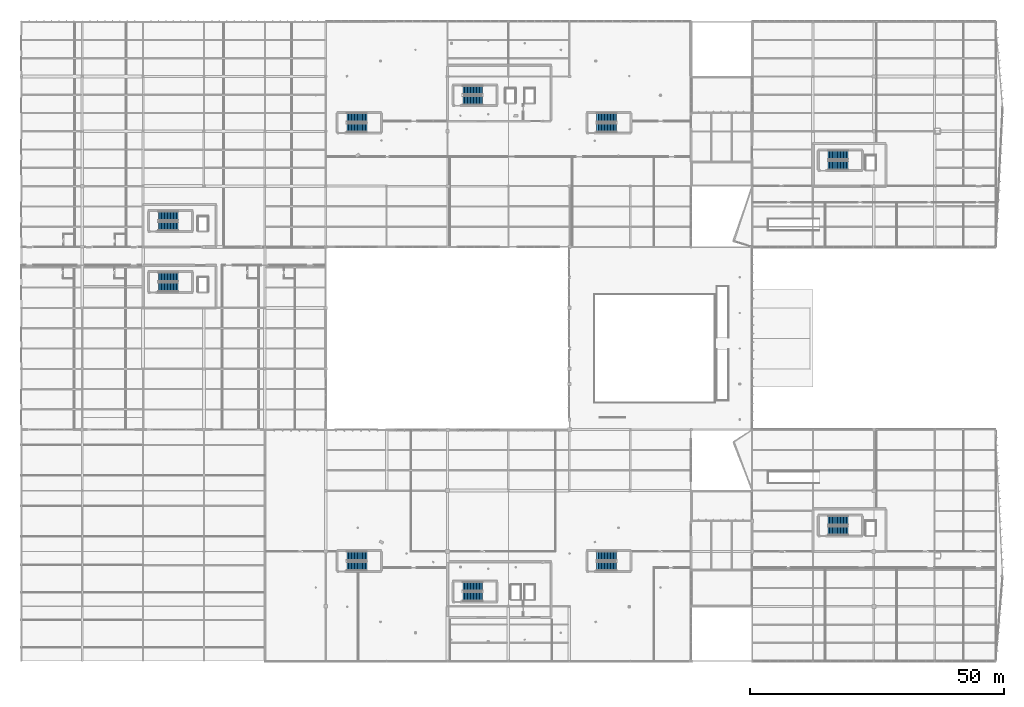
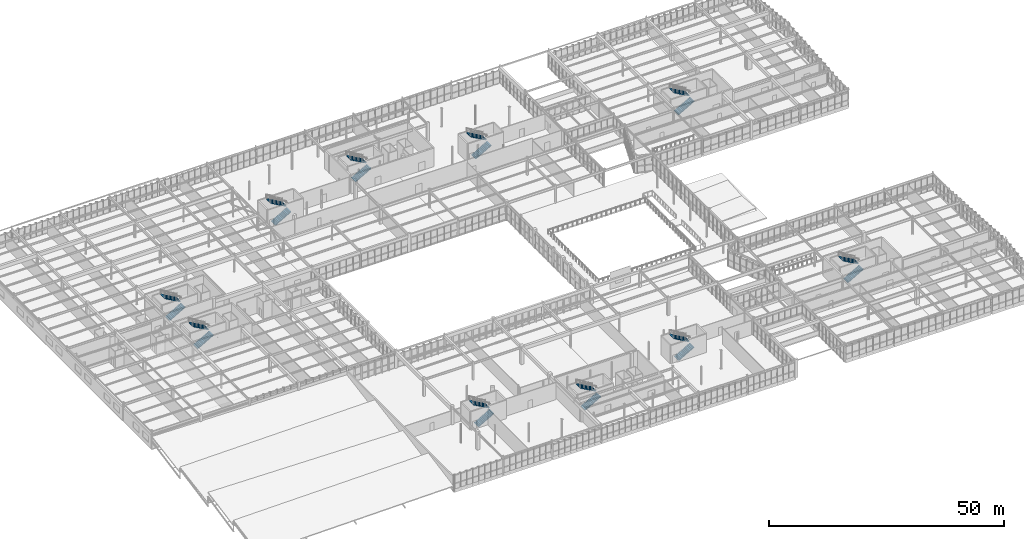
# One storey, part 200 of 226: 20 stair flights, 10 elements without a shape of their own.
"""IFC4 building model written with IfcOpenShell, lengths in metres."""

from ifc_helpers import new_model, si_unit, direction, frame, origin, place, context, subcontext, project, spatial, polyline, outline, extrude, material, type_object, element, aggregate, save


model = new_model("IFC4")

# Units and contexts
model_context = context("Model", 3, precision=1e-05, world=origin(), true_north=direction((0.0, 1.0)))
body_context = subcontext(model_context, "Body", "Model", "MODEL_VIEW")
ifc_project = project(units=[si_unit("LENGTHUNIT", "METRE"), si_unit("AREAUNIT", "SQUARE_METRE"), si_unit("VOLUMEUNIT", "CUBIC_METRE"), si_unit("PLANEANGLEUNIT", "RADIAN"), si_unit("MASSUNIT", "GRAM", prefix="KILO")], contexts=[model_context])

# Site, building, storey
site_placement = place(None, origin())
site = spatial("IfcSite", under=ifc_project, at=site_placement, CompositionType="ELEMENT")
building_placement = place(site_placement, origin())
building = spatial("IfcBuilding", under=site, at=building_placement, Name="Tarnwether General Hospital", CompositionType="ELEMENT")
storey_placement = place(building_placement, frame((0.0, 0.0, 4.800048828125)))
storey = spatial("IfcBuildingStorey", under=building, at=storey_placement, Name="L01", CompositionType="ELEMENT", Elevation=4.800048828125)

# Stair, stair flights
ifc_material_1 = material(Name="Concrete 40 MPa", Category="concrete")
stair_type_1 = type_object("IfcStairType", Name="ST-DL48A", PredefinedType="HALF_TURN_STAIR", material=ifc_material_1)
stair_1_placement = place(storey_placement, origin())
stair_1 = element("IfcStair", 1, at=stair_1_placement, inside=storey, type_object=stair_type_1, Name="L01 Exit Stair ST-01", PredefinedType="HALF_TURN_STAIR")
ifc_material_2 = material(Name="Concrete 40 MPa", Category="concrete")
stair_flight_type_1 = type_object("IfcStairFlightType", Name="SF-48A", PredefinedType="STRAIGHT", material=ifc_material_2)
stair_flight_1_placement = place(storey_placement, frame((87.0, 110.5, 0.0), z_axis=(0.0, 0.0, 1.0), x_axis=(1.0, 0.0, 0.0)))
stair_flight_1 = element("IfcStairFlight", 2, at=stair_flight_1_placement, type_object=stair_flight_type_1, Name="ST-01 flight 1", NumberOfRisers=14, NumberOfTreads=13, PredefinedType="STRAIGHT", RiserHeight=0.171428571, TreadLength=0.3, context=body_context, shape_type="SweptSolid", body=[
    extrude(outline(polyline([(0.0, 0.0), (0.0, 0.17138671875), (0.300048828125, 0.17138671875), (0.300048828125, 0.3427734375), (0.60009765625, 0.3427734375), (0.60009765625, 0.514404296875), (0.89990234375, 0.514404296875), (0.89990234375, 0.685791015625), (1.199951171875, 0.685791015625), (1.199951171875, 0.857177734375), (1.5, 0.857177734375), (1.5, 1.028564453125), (1.800048828125, 1.028564453125), (1.800048828125, 1.199951171875), (2.10009765625, 1.199951171875), (2.10009765625, 1.371337890625), (2.39990234375, 1.371337890625), (2.39990234375, 1.54296875), (2.699951171875, 1.54296875), (2.699951171875, 1.71435546875), (3.0, 1.71435546875), (3.0, 1.8857421875), (3.300048828125, 1.8857421875), (3.300048828125, 2.05712890625), (3.60009765625, 2.05712890625), (3.60009765625, 2.228515625), (3.89990234375, 2.228515625), (3.89990234375, 2.39990234375), (3.89990234375, 2.055908203125), (0.30224609375, 0.0), (0.0, 0.0)])), frame((0.0, 0.89990234375, 0.0), z_axis=(0.0, -1.0, 0.0), x_axis=(1.0, 0.0, 0.0)), (0.0, 0.0, 1.0), 1.800048828125),
])
stair_flight_2_placement = place(storey_placement, frame((90.89990234375, 112.5, 2.39990234375), z_axis=(0.0, 0.0, 1.0), x_axis=(-1.0, 0.0, 0.0)))
stair_flight_2 = element("IfcStairFlight", 3, at=stair_flight_2_placement, type_object=stair_flight_type_1, Name="ST-01 flight 2", NumberOfRisers=14, NumberOfTreads=13, PredefinedType="STRAIGHT", RiserHeight=0.171428571, TreadLength=0.3, context=body_context, shape_type="SweptSolid", body=[
    extrude(outline(polyline([(0.0, 0.0), (0.0, 0.17138671875), (0.300048828125, 0.17138671875), (0.300048828125, 0.3427734375), (0.60009765625, 0.3427734375), (0.60009765625, 0.514404296875), (0.89990234375, 0.514404296875), (0.89990234375, 0.685791015625), (1.199951171875, 0.685791015625), (1.199951171875, 0.857177734375), (1.5, 0.857177734375), (1.5, 1.028564453125), (1.800048828125, 1.028564453125), (1.800048828125, 1.199951171875), (2.10009765625, 1.199951171875), (2.10009765625, 1.371337890625), (2.39990234375, 1.371337890625), (2.39990234375, 1.54296875), (2.699951171875, 1.54296875), (2.699951171875, 1.71435546875), (3.0, 1.71435546875), (3.0, 1.8857421875), (3.300048828125, 1.8857421875), (3.300048828125, 2.05712890625), (3.60009765625, 2.05712890625), (3.60009765625, 2.228515625), (3.89990234375, 2.228515625), (3.89990234375, 2.39990234375), (3.89990234375, 2.055908203125), (0.30224609375, 0.0), (0.0, 0.0)])), frame((0.0, 0.89990234375, 0.0), z_axis=(0.0, -1.0, 0.0), x_axis=(1.0, 0.0, 0.0)), (0.0, 0.0, 1.0), 1.800048828125),
])
aggregate(stair_1, [stair_flight_1, stair_flight_2])

stair_2_placement = place(storey_placement, origin())
stair_2 = element("IfcStair", 4, at=stair_2_placement, inside=storey, type_object=stair_type_1, Name="L01 Exit Stair ST-03", PredefinedType="HALF_TURN_STAIR")
stair_flight_3_placement = place(storey_placement, frame((27.0, 73.699951171875, 0.0), z_axis=(0.0, 0.0, 1.0), x_axis=(1.0, 0.0, 0.0)))
stair_flight_3 = element("IfcStairFlight", 5, at=stair_flight_3_placement, type_object=stair_flight_type_1, Name="ST-03 flight 1", NumberOfRisers=14, NumberOfTreads=13, PredefinedType="STRAIGHT", RiserHeight=0.171428571, TreadLength=0.3, context=body_context, shape_type="SweptSolid", body=[
    extrude(outline(polyline([(0.0, 0.0), (0.0, 0.17138671875), (0.300048828125, 0.17138671875), (0.300048828125, 0.3427734375), (0.60009765625, 0.3427734375), (0.60009765625, 0.514404296875), (0.89990234375, 0.514404296875), (0.89990234375, 0.685791015625), (1.199951171875, 0.685791015625), (1.199951171875, 0.857177734375), (1.5, 0.857177734375), (1.5, 1.028564453125), (1.800048828125, 1.028564453125), (1.800048828125, 1.199951171875), (2.10009765625, 1.199951171875), (2.10009765625, 1.371337890625), (2.39990234375, 1.371337890625), (2.39990234375, 1.54296875), (2.699951171875, 1.54296875), (2.699951171875, 1.71435546875), (3.0, 1.71435546875), (3.0, 1.8857421875), (3.300048828125, 1.8857421875), (3.300048828125, 2.05712890625), (3.60009765625, 2.05712890625), (3.60009765625, 2.228515625), (3.89990234375, 2.228515625), (3.89990234375, 2.39990234375), (3.89990234375, 2.055908203125), (0.30224609375, 0.0), (0.0, 0.0)])), frame((0.0, 0.89990234375, 0.0), z_axis=(0.0, -1.0, 0.0), x_axis=(1.0, 0.0, 0.0)), (0.0, 0.0, 1.0), 1.800048828125),
])
stair_flight_4_placement = place(storey_placement, frame((30.89990234375, 75.699951171875, 2.39990234375), z_axis=(0.0, 0.0, 1.0), x_axis=(-1.0, 0.0, 0.0)))
stair_flight_4 = element("IfcStairFlight", 6, at=stair_flight_4_placement, type_object=stair_flight_type_1, Name="ST-03 flight 2", NumberOfRisers=14, NumberOfTreads=13, PredefinedType="STRAIGHT", RiserHeight=0.171428571, TreadLength=0.3, context=body_context, shape_type="SweptSolid", body=[
    extrude(outline(polyline([(0.0, 0.0), (0.0, 0.17138671875), (0.300048828125, 0.17138671875), (0.300048828125, 0.3427734375), (0.60009765625, 0.3427734375), (0.60009765625, 0.514404296875), (0.89990234375, 0.514404296875), (0.89990234375, 0.685791015625), (1.199951171875, 0.685791015625), (1.199951171875, 0.857177734375), (1.5, 0.857177734375), (1.5, 1.028564453125), (1.800048828125, 1.028564453125), (1.800048828125, 1.199951171875), (2.10009765625, 1.199951171875), (2.10009765625, 1.371337890625), (2.39990234375, 1.371337890625), (2.39990234375, 1.54296875), (2.699951171875, 1.54296875), (2.699951171875, 1.71435546875), (3.0, 1.71435546875), (3.0, 1.8857421875), (3.300048828125, 1.8857421875), (3.300048828125, 2.05712890625), (3.60009765625, 2.05712890625), (3.60009765625, 2.228515625), (3.89990234375, 2.228515625), (3.89990234375, 2.39990234375), (3.89990234375, 2.055908203125), (0.30224609375, 0.0), (0.0, 0.0)])), frame((0.0, 0.89990234375, 0.0), z_axis=(0.0, -1.0, 0.0), x_axis=(1.0, 0.0, 0.0)), (0.0, 0.0, 1.0), 1.800048828125),
])
aggregate(stair_2, [stair_flight_3, stair_flight_4])

stair_3_placement = place(storey_placement, origin())
stair_3 = element("IfcStair", 7, at=stair_3_placement, inside=storey, type_object=stair_type_1, Name="L01 Exit Stair ST-05", PredefinedType="HALF_TURN_STAIR")
stair_flight_5_placement = place(storey_placement, frame((159.0, 25.699951171875, 0.0), z_axis=(0.0, 0.0, 1.0), x_axis=(1.0, 0.0, 0.0)))
stair_flight_5 = element("IfcStairFlight", 8, at=stair_flight_5_placement, type_object=stair_flight_type_1, Name="ST-05 flight 1", NumberOfRisers=14, NumberOfTreads=13, PredefinedType="STRAIGHT", RiserHeight=0.171428571, TreadLength=0.3, context=body_context, shape_type="SweptSolid", body=[
    extrude(outline(polyline([(0.0, 0.0), (0.0, 0.17138671875), (0.300048828125, 0.17138671875), (0.300048828125, 0.3427734375), (0.60009765625, 0.3427734375), (0.60009765625, 0.514404296875), (0.89990234375, 0.514404296875), (0.89990234375, 0.685791015625), (1.199951171875, 0.685791015625), (1.199951171875, 0.857177734375), (1.5, 0.857177734375), (1.5, 1.028564453125), (1.800048828125, 1.028564453125), (1.800048828125, 1.199951171875), (2.10009765625, 1.199951171875), (2.10009765625, 1.371337890625), (2.39990234375, 1.371337890625), (2.39990234375, 1.54296875), (2.699951171875, 1.54296875), (2.699951171875, 1.71435546875), (3.0, 1.71435546875), (3.0, 1.8857421875), (3.300048828125, 1.8857421875), (3.300048828125, 2.05712890625), (3.60009765625, 2.05712890625), (3.60009765625, 2.228515625), (3.89990234375, 2.228515625), (3.89990234375, 2.39990234375), (3.89990234375, 2.055908203125), (0.30224609375, 0.0), (0.0, 0.0)])), frame((0.0, 0.89990234375, 0.0), z_axis=(0.0, -1.0, 0.0), x_axis=(1.0, 0.0, 0.0)), (0.0, 0.0, 1.0), 1.800048828125),
])
stair_flight_6_placement = place(storey_placement, frame((162.89990234375, 27.699951171875, 2.39990234375), z_axis=(0.0, 0.0, 1.0), x_axis=(-1.0, 0.0, 0.0)))
stair_flight_6 = element("IfcStairFlight", 9, at=stair_flight_6_placement, type_object=stair_flight_type_1, Name="ST-05 flight 2", NumberOfRisers=14, NumberOfTreads=13, PredefinedType="STRAIGHT", RiserHeight=0.171428571, TreadLength=0.3, context=body_context, shape_type="SweptSolid", body=[
    extrude(outline(polyline([(0.0, 0.0), (0.0, 0.17138671875), (0.300048828125, 0.17138671875), (0.300048828125, 0.3427734375), (0.60009765625, 0.3427734375), (0.60009765625, 0.514404296875), (0.89990234375, 0.514404296875), (0.89990234375, 0.685791015625), (1.199951171875, 0.685791015625), (1.199951171875, 0.857177734375), (1.5, 0.857177734375), (1.5, 1.028564453125), (1.800048828125, 1.028564453125), (1.800048828125, 1.199951171875), (2.10009765625, 1.199951171875), (2.10009765625, 1.371337890625), (2.39990234375, 1.371337890625), (2.39990234375, 1.54296875), (2.699951171875, 1.54296875), (2.699951171875, 1.71435546875), (3.0, 1.71435546875), (3.0, 1.8857421875), (3.300048828125, 1.8857421875), (3.300048828125, 2.05712890625), (3.60009765625, 2.05712890625), (3.60009765625, 2.228515625), (3.89990234375, 2.228515625), (3.89990234375, 2.39990234375), (3.89990234375, 2.055908203125), (0.30224609375, 0.0), (0.0, 0.0)])), frame((0.0, 0.89990234375, 0.0), z_axis=(0.0, -1.0, 0.0), x_axis=(1.0, 0.0, 0.0)), (0.0, 0.0, 1.0), 1.800048828125),
])
aggregate(stair_3, [stair_flight_5, stair_flight_6])

stair_4_placement = place(storey_placement, origin())
stair_4 = element("IfcStair", 10, at=stair_4_placement, inside=storey, type_object=stair_type_1, Name="L01 Exit Stair ST-07", PredefinedType="HALF_TURN_STAIR")
stair_flight_7_placement = place(storey_placement, frame((64.199951171875, 105.10009765625, 0.0), z_axis=(0.0, 0.0, 1.0), x_axis=(1.0, 0.0, 0.0)))
stair_flight_7 = element("IfcStairFlight", 11, at=stair_flight_7_placement, type_object=stair_flight_type_1, Name="ST-07 flight 1", NumberOfRisers=14, NumberOfTreads=13, PredefinedType="STRAIGHT", RiserHeight=0.171428571, TreadLength=0.3, context=body_context, shape_type="SweptSolid", body=[
    extrude(outline(polyline([(0.0, 0.0), (0.0, 0.17138671875), (0.300048828125, 0.17138671875), (0.300048828125, 0.3427734375), (0.60009765625, 0.3427734375), (0.60009765625, 0.514404296875), (0.89990234375, 0.514404296875), (0.89990234375, 0.685791015625), (1.199951171875, 0.685791015625), (1.199951171875, 0.857177734375), (1.5, 0.857177734375), (1.5, 1.028564453125), (1.800048828125, 1.028564453125), (1.800048828125, 1.199951171875), (2.10009765625, 1.199951171875), (2.10009765625, 1.371337890625), (2.39990234375, 1.371337890625), (2.39990234375, 1.54296875), (2.699951171875, 1.54296875), (2.699951171875, 1.71435546875), (3.0, 1.71435546875), (3.0, 1.8857421875), (3.300048828125, 1.8857421875), (3.300048828125, 2.05712890625), (3.60009765625, 2.05712890625), (3.60009765625, 2.228515625), (3.89990234375, 2.228515625), (3.89990234375, 2.39990234375), (3.89990234375, 2.055908203125), (0.30224609375, 0.0), (0.0, 0.0)])), frame((0.0, 0.89990234375, 0.0), z_axis=(0.0, -1.0, 0.0), x_axis=(1.0, 0.0, 0.0)), (0.0, 0.0, 1.0), 1.800048828125),
])
stair_flight_8_placement = place(storey_placement, frame((68.10009765625, 107.10009765625, 2.39990234375), z_axis=(0.0, 0.0, 1.0), x_axis=(-1.0, 0.0, 0.0)))
stair_flight_8 = element("IfcStairFlight", 12, at=stair_flight_8_placement, type_object=stair_flight_type_1, Name="ST-07 flight 2", NumberOfRisers=14, NumberOfTreads=13, PredefinedType="STRAIGHT", RiserHeight=0.171428571, TreadLength=0.3, context=body_context, shape_type="SweptSolid", body=[
    extrude(outline(polyline([(0.0, 0.0), (0.0, 0.17138671875), (0.300048828125, 0.17138671875), (0.300048828125, 0.3427734375), (0.60009765625, 0.3427734375), (0.60009765625, 0.514404296875), (0.89990234375, 0.514404296875), (0.89990234375, 0.685791015625), (1.199951171875, 0.685791015625), (1.199951171875, 0.857177734375), (1.5, 0.857177734375), (1.5, 1.028564453125), (1.800048828125, 1.028564453125), (1.800048828125, 1.199951171875), (2.10009765625, 1.199951171875), (2.10009765625, 1.371337890625), (2.39990234375, 1.371337890625), (2.39990234375, 1.54296875), (2.699951171875, 1.54296875), (2.699951171875, 1.71435546875), (3.0, 1.71435546875), (3.0, 1.8857421875), (3.300048828125, 1.8857421875), (3.300048828125, 2.05712890625), (3.60009765625, 2.05712890625), (3.60009765625, 2.228515625), (3.89990234375, 2.228515625), (3.89990234375, 2.39990234375), (3.89990234375, 2.055908203125), (0.30224609375, 0.0), (0.0, 0.0)])), frame((0.0, 0.89990234375, 0.0), z_axis=(0.0, -1.0, 0.0), x_axis=(1.0, 0.0, 0.0)), (0.0, 0.0, 1.0), 1.800048828125),
])
aggregate(stair_4, [stair_flight_7, stair_flight_8])

stair_5_placement = place(storey_placement, origin())
stair_5 = element("IfcStair", 13, at=stair_5_placement, inside=storey, type_object=stair_type_1, Name="L01 Exit Stair ST-09", PredefinedType="HALF_TURN_STAIR")
stair_flight_9_placement = place(storey_placement, frame((64.199951171875, 18.699951171875, 0.0), z_axis=(0.0, 0.0, 1.0), x_axis=(1.0, 0.0, 0.0)))
stair_flight_9 = element("IfcStairFlight", 14, at=stair_flight_9_placement, type_object=stair_flight_type_1, Name="ST-09 flight 1", NumberOfRisers=14, NumberOfTreads=13, PredefinedType="STRAIGHT", RiserHeight=0.171428571, TreadLength=0.3, context=body_context, shape_type="SweptSolid", body=[
    extrude(outline(polyline([(0.0, 0.0), (0.0, 0.17138671875), (0.300048828125, 0.17138671875), (0.300048828125, 0.3427734375), (0.60009765625, 0.3427734375), (0.60009765625, 0.514404296875), (0.89990234375, 0.514404296875), (0.89990234375, 0.685791015625), (1.199951171875, 0.685791015625), (1.199951171875, 0.857177734375), (1.5, 0.857177734375), (1.5, 1.028564453125), (1.800048828125, 1.028564453125), (1.800048828125, 1.199951171875), (2.10009765625, 1.199951171875), (2.10009765625, 1.371337890625), (2.39990234375, 1.371337890625), (2.39990234375, 1.54296875), (2.699951171875, 1.54296875), (2.699951171875, 1.71435546875), (3.0, 1.71435546875), (3.0, 1.8857421875), (3.300048828125, 1.8857421875), (3.300048828125, 2.05712890625), (3.60009765625, 2.05712890625), (3.60009765625, 2.228515625), (3.89990234375, 2.228515625), (3.89990234375, 2.39990234375), (3.89990234375, 2.055908203125), (0.30224609375, 0.0), (0.0, 0.0)])), frame((0.0, 0.89990234375, 0.0), z_axis=(0.0, -1.0, 0.0), x_axis=(1.0, 0.0, 0.0)), (0.0, 0.0, 1.0), 1.800048828125),
])
stair_flight_10_placement = place(storey_placement, frame((68.10009765625, 20.699951171875, 2.39990234375), z_axis=(0.0, 0.0, 1.0), x_axis=(-1.0, 0.0, 0.0)))
stair_flight_10 = element("IfcStairFlight", 15, at=stair_flight_10_placement, type_object=stair_flight_type_1, Name="ST-09 flight 2", NumberOfRisers=14, NumberOfTreads=13, PredefinedType="STRAIGHT", RiserHeight=0.171428571, TreadLength=0.3, context=body_context, shape_type="SweptSolid", body=[
    extrude(outline(polyline([(0.0, 0.0), (0.0, 0.17138671875), (0.300048828125, 0.17138671875), (0.300048828125, 0.3427734375), (0.60009765625, 0.3427734375), (0.60009765625, 0.514404296875), (0.89990234375, 0.514404296875), (0.89990234375, 0.685791015625), (1.199951171875, 0.685791015625), (1.199951171875, 0.857177734375), (1.5, 0.857177734375), (1.5, 1.028564453125), (1.800048828125, 1.028564453125), (1.800048828125, 1.199951171875), (2.10009765625, 1.199951171875), (2.10009765625, 1.371337890625), (2.39990234375, 1.371337890625), (2.39990234375, 1.54296875), (2.699951171875, 1.54296875), (2.699951171875, 1.71435546875), (3.0, 1.71435546875), (3.0, 1.8857421875), (3.300048828125, 1.8857421875), (3.300048828125, 2.05712890625), (3.60009765625, 2.05712890625), (3.60009765625, 2.228515625), (3.89990234375, 2.228515625), (3.89990234375, 2.39990234375), (3.89990234375, 2.055908203125), (0.30224609375, 0.0), (0.0, 0.0)])), frame((0.0, 0.89990234375, 0.0), z_axis=(0.0, -1.0, 0.0), x_axis=(1.0, 0.0, 0.0)), (0.0, 0.0, 1.0), 1.800048828125),
])
aggregate(stair_5, [stair_flight_9, stair_flight_10])

ifc_material_3 = material(Name="Concrete 40 MPa", Category="concrete")
stair_type_2 = type_object("IfcStairType", Name="ST-DL48B", PredefinedType="HALF_TURN_STAIR", material=ifc_material_3)
stair_6_placement = place(storey_placement, origin())
stair_6 = element("IfcStair", 16, at=stair_6_placement, inside=storey, type_object=stair_type_2, Name="L01 Exit Stair ST-02", PredefinedType="HALF_TURN_STAIR")
ifc_material_4 = material(Name="Concrete 40 MPa", Category="concrete")
stair_flight_type_2 = type_object("IfcStairFlightType", Name="SF-48B", PredefinedType="STRAIGHT", material=ifc_material_4)
stair_flight_11_placement = place(storey_placement, frame((87.0, 12.699951171875, 0.0), z_axis=(0.0, 0.0, 1.0), x_axis=(1.0, 0.0, 0.0)))
stair_flight_11 = element("IfcStairFlight", 17, at=stair_flight_11_placement, type_object=stair_flight_type_2, Name="ST-02 flight 1", NumberOfRisers=14, NumberOfTreads=13, PredefinedType="STRAIGHT", RiserHeight=0.171428571, TreadLength=0.3, context=body_context, shape_type="SweptSolid", body=[
    extrude(outline(polyline([(0.0, 0.0), (0.0, 0.17138671875), (0.300048828125, 0.17138671875), (0.300048828125, 0.3427734375), (0.60009765625, 0.3427734375), (0.60009765625, 0.514404296875), (0.89990234375, 0.514404296875), (0.89990234375, 0.685791015625), (1.199951171875, 0.685791015625), (1.199951171875, 0.857177734375), (1.5, 0.857177734375), (1.5, 1.028564453125), (1.800048828125, 1.028564453125), (1.800048828125, 1.199951171875), (2.10009765625, 1.199951171875), (2.10009765625, 1.371337890625), (2.39990234375, 1.371337890625), (2.39990234375, 1.54296875), (2.699951171875, 1.54296875), (2.699951171875, 1.71435546875), (3.0, 1.71435546875), (3.0, 1.8857421875), (3.300048828125, 1.8857421875), (3.300048828125, 2.05712890625), (3.60009765625, 2.05712890625), (3.60009765625, 2.228515625), (3.89990234375, 2.228515625), (3.89990234375, 2.39990234375), (3.89990234375, 2.055908203125), (0.30224609375, 0.0), (0.0, 0.0)])), frame((0.0, 0.89990234375, 0.0), z_axis=(0.0, -1.0, 0.0), x_axis=(1.0, 0.0, 0.0)), (0.0, 0.0, 1.0), 1.800048828125),
])
stair_flight_12_placement = place(storey_placement, frame((90.89990234375, 14.699951171875, 2.39990234375), z_axis=(0.0, 0.0, 1.0), x_axis=(-1.0, 0.0, 0.0)))
stair_flight_12 = element("IfcStairFlight", 18, at=stair_flight_12_placement, type_object=stair_flight_type_2, Name="ST-02 flight 2", NumberOfRisers=14, NumberOfTreads=13, PredefinedType="STRAIGHT", RiserHeight=0.171428571, TreadLength=0.3, context=body_context, shape_type="SweptSolid", body=[
    extrude(outline(polyline([(0.0, 0.0), (0.0, 0.17138671875), (0.300048828125, 0.17138671875), (0.300048828125, 0.3427734375), (0.60009765625, 0.3427734375), (0.60009765625, 0.514404296875), (0.89990234375, 0.514404296875), (0.89990234375, 0.685791015625), (1.199951171875, 0.685791015625), (1.199951171875, 0.857177734375), (1.5, 0.857177734375), (1.5, 1.028564453125), (1.800048828125, 1.028564453125), (1.800048828125, 1.199951171875), (2.10009765625, 1.199951171875), (2.10009765625, 1.371337890625), (2.39990234375, 1.371337890625), (2.39990234375, 1.54296875), (2.699951171875, 1.54296875), (2.699951171875, 1.71435546875), (3.0, 1.71435546875), (3.0, 1.8857421875), (3.300048828125, 1.8857421875), (3.300048828125, 2.05712890625), (3.60009765625, 2.05712890625), (3.60009765625, 2.228515625), (3.89990234375, 2.228515625), (3.89990234375, 2.39990234375), (3.89990234375, 2.055908203125), (0.30224609375, 0.0), (0.0, 0.0)])), frame((0.0, 0.89990234375, 0.0), z_axis=(0.0, -1.0, 0.0), x_axis=(1.0, 0.0, 0.0)), (0.0, 0.0, 1.0), 1.800048828125),
])
aggregate(stair_6, [stair_flight_11, stair_flight_12])

stair_7_placement = place(storey_placement, origin())
stair_7 = element("IfcStair", 19, at=stair_7_placement, inside=storey, type_object=stair_type_2, Name="L01 Exit Stair ST-04", PredefinedType="HALF_TURN_STAIR")
stair_flight_13_placement = place(storey_placement, frame((27.0, 85.699951171875, 0.0), z_axis=(0.0, 0.0, 1.0), x_axis=(1.0, 0.0, 0.0)))
stair_flight_13 = element("IfcStairFlight", 20, at=stair_flight_13_placement, type_object=stair_flight_type_2, Name="ST-04 flight 1", NumberOfRisers=14, NumberOfTreads=13, PredefinedType="STRAIGHT", RiserHeight=0.171428571, TreadLength=0.3, context=body_context, shape_type="SweptSolid", body=[
    extrude(outline(polyline([(0.0, 0.0), (0.0, 0.17138671875), (0.300048828125, 0.17138671875), (0.300048828125, 0.3427734375), (0.60009765625, 0.3427734375), (0.60009765625, 0.514404296875), (0.89990234375, 0.514404296875), (0.89990234375, 0.685791015625), (1.199951171875, 0.685791015625), (1.199951171875, 0.857177734375), (1.5, 0.857177734375), (1.5, 1.028564453125), (1.800048828125, 1.028564453125), (1.800048828125, 1.199951171875), (2.10009765625, 1.199951171875), (2.10009765625, 1.371337890625), (2.39990234375, 1.371337890625), (2.39990234375, 1.54296875), (2.699951171875, 1.54296875), (2.699951171875, 1.71435546875), (3.0, 1.71435546875), (3.0, 1.8857421875), (3.300048828125, 1.8857421875), (3.300048828125, 2.05712890625), (3.60009765625, 2.05712890625), (3.60009765625, 2.228515625), (3.89990234375, 2.228515625), (3.89990234375, 2.39990234375), (3.89990234375, 2.055908203125), (0.30224609375, 0.0), (0.0, 0.0)])), frame((0.0, 0.89990234375, 0.0), z_axis=(0.0, -1.0, 0.0), x_axis=(1.0, 0.0, 0.0)), (0.0, 0.0, 1.0), 1.800048828125),
])
stair_flight_14_placement = place(storey_placement, frame((30.89990234375, 87.699951171875, 2.39990234375), z_axis=(0.0, 0.0, 1.0), x_axis=(-1.0, 0.0, 0.0)))
stair_flight_14 = element("IfcStairFlight", 21, at=stair_flight_14_placement, type_object=stair_flight_type_2, Name="ST-04 flight 2", NumberOfRisers=14, NumberOfTreads=13, PredefinedType="STRAIGHT", RiserHeight=0.171428571, TreadLength=0.3, context=body_context, shape_type="SweptSolid", body=[
    extrude(outline(polyline([(0.0, 0.0), (0.0, 0.17138671875), (0.300048828125, 0.17138671875), (0.300048828125, 0.3427734375), (0.60009765625, 0.3427734375), (0.60009765625, 0.514404296875), (0.89990234375, 0.514404296875), (0.89990234375, 0.685791015625), (1.199951171875, 0.685791015625), (1.199951171875, 0.857177734375), (1.5, 0.857177734375), (1.5, 1.028564453125), (1.800048828125, 1.028564453125), (1.800048828125, 1.199951171875), (2.10009765625, 1.199951171875), (2.10009765625, 1.371337890625), (2.39990234375, 1.371337890625), (2.39990234375, 1.54296875), (2.699951171875, 1.54296875), (2.699951171875, 1.71435546875), (3.0, 1.71435546875), (3.0, 1.8857421875), (3.300048828125, 1.8857421875), (3.300048828125, 2.05712890625), (3.60009765625, 2.05712890625), (3.60009765625, 2.228515625), (3.89990234375, 2.228515625), (3.89990234375, 2.39990234375), (3.89990234375, 2.055908203125), (0.30224609375, 0.0), (0.0, 0.0)])), frame((0.0, 0.89990234375, 0.0), z_axis=(0.0, -1.0, 0.0), x_axis=(1.0, 0.0, 0.0)), (0.0, 0.0, 1.0), 1.800048828125),
])
aggregate(stair_7, [stair_flight_13, stair_flight_14])

stair_8_placement = place(storey_placement, origin())
stair_8 = element("IfcStair", 22, at=stair_8_placement, inside=storey, type_object=stair_type_2, Name="L01 Exit Stair ST-06", PredefinedType="HALF_TURN_STAIR")
stair_flight_15_placement = place(storey_placement, frame((159.0, 97.699951171875, 0.0), z_axis=(0.0, 0.0, 1.0), x_axis=(1.0, 0.0, 0.0)))
stair_flight_15 = element("IfcStairFlight", 23, at=stair_flight_15_placement, type_object=stair_flight_type_2, Name="ST-06 flight 1", NumberOfRisers=14, NumberOfTreads=13, PredefinedType="STRAIGHT", RiserHeight=0.171428571, TreadLength=0.3, context=body_context, shape_type="SweptSolid", body=[
    extrude(outline(polyline([(0.0, 0.0), (0.0, 0.17138671875), (0.300048828125, 0.17138671875), (0.300048828125, 0.3427734375), (0.60009765625, 0.3427734375), (0.60009765625, 0.514404296875), (0.89990234375, 0.514404296875), (0.89990234375, 0.685791015625), (1.199951171875, 0.685791015625), (1.199951171875, 0.857177734375), (1.5, 0.857177734375), (1.5, 1.028564453125), (1.800048828125, 1.028564453125), (1.800048828125, 1.199951171875), (2.10009765625, 1.199951171875), (2.10009765625, 1.371337890625), (2.39990234375, 1.371337890625), (2.39990234375, 1.54296875), (2.699951171875, 1.54296875), (2.699951171875, 1.71435546875), (3.0, 1.71435546875), (3.0, 1.8857421875), (3.300048828125, 1.8857421875), (3.300048828125, 2.05712890625), (3.60009765625, 2.05712890625), (3.60009765625, 2.228515625), (3.89990234375, 2.228515625), (3.89990234375, 2.39990234375), (3.89990234375, 2.055908203125), (0.30224609375, 0.0), (0.0, 0.0)])), frame((0.0, 0.89990234375, 0.0), z_axis=(0.0, -1.0, 0.0), x_axis=(1.0, 0.0, 0.0)), (0.0, 0.0, 1.0), 1.800048828125),
])
stair_flight_16_placement = place(storey_placement, frame((162.89990234375, 99.699951171875, 2.39990234375), z_axis=(0.0, 0.0, 1.0), x_axis=(-1.0, 0.0, 0.0)))
stair_flight_16 = element("IfcStairFlight", 24, at=stair_flight_16_placement, type_object=stair_flight_type_2, Name="ST-06 flight 2", NumberOfRisers=14, NumberOfTreads=13, PredefinedType="STRAIGHT", RiserHeight=0.171428571, TreadLength=0.3, context=body_context, shape_type="SweptSolid", body=[
    extrude(outline(polyline([(0.0, 0.0), (0.0, 0.17138671875), (0.300048828125, 0.17138671875), (0.300048828125, 0.3427734375), (0.60009765625, 0.3427734375), (0.60009765625, 0.514404296875), (0.89990234375, 0.514404296875), (0.89990234375, 0.685791015625), (1.199951171875, 0.685791015625), (1.199951171875, 0.857177734375), (1.5, 0.857177734375), (1.5, 1.028564453125), (1.800048828125, 1.028564453125), (1.800048828125, 1.199951171875), (2.10009765625, 1.199951171875), (2.10009765625, 1.371337890625), (2.39990234375, 1.371337890625), (2.39990234375, 1.54296875), (2.699951171875, 1.54296875), (2.699951171875, 1.71435546875), (3.0, 1.71435546875), (3.0, 1.8857421875), (3.300048828125, 1.8857421875), (3.300048828125, 2.05712890625), (3.60009765625, 2.05712890625), (3.60009765625, 2.228515625), (3.89990234375, 2.228515625), (3.89990234375, 2.39990234375), (3.89990234375, 2.055908203125), (0.30224609375, 0.0), (0.0, 0.0)])), frame((0.0, 0.89990234375, 0.0), z_axis=(0.0, -1.0, 0.0), x_axis=(1.0, 0.0, 0.0)), (0.0, 0.0, 1.0), 1.800048828125),
])
aggregate(stair_8, [stair_flight_15, stair_flight_16])

stair_9_placement = place(storey_placement, origin())
stair_9 = element("IfcStair", 25, at=stair_9_placement, inside=storey, type_object=stair_type_2, Name="L01 Exit Stair ST-08", PredefinedType="HALF_TURN_STAIR")
stair_flight_17_placement = place(storey_placement, frame((113.39990234375, 105.10009765625, 0.0), z_axis=(0.0, 0.0, 1.0), x_axis=(1.0, 0.0, 0.0)))
stair_flight_17 = element("IfcStairFlight", 26, at=stair_flight_17_placement, type_object=stair_flight_type_2, Name="ST-08 flight 1", NumberOfRisers=14, NumberOfTreads=13, PredefinedType="STRAIGHT", RiserHeight=0.171428571, TreadLength=0.3, context=body_context, shape_type="SweptSolid", body=[
    extrude(outline(polyline([(0.0, 0.0), (0.0, 0.17138671875), (0.300048828125, 0.17138671875), (0.300048828125, 0.3427734375), (0.60009765625, 0.3427734375), (0.60009765625, 0.514404296875), (0.89990234375, 0.514404296875), (0.89990234375, 0.685791015625), (1.199951171875, 0.685791015625), (1.199951171875, 0.857177734375), (1.5, 0.857177734375), (1.5, 1.028564453125), (1.800048828125, 1.028564453125), (1.800048828125, 1.199951171875), (2.10009765625, 1.199951171875), (2.10009765625, 1.371337890625), (2.39990234375, 1.371337890625), (2.39990234375, 1.54296875), (2.699951171875, 1.54296875), (2.699951171875, 1.71435546875), (3.0, 1.71435546875), (3.0, 1.8857421875), (3.300048828125, 1.8857421875), (3.300048828125, 2.05712890625), (3.60009765625, 2.05712890625), (3.60009765625, 2.228515625), (3.89990234375, 2.228515625), (3.89990234375, 2.39990234375), (3.89990234375, 2.055908203125), (0.30224609375, 0.0), (0.0, 0.0)])), frame((0.0, 0.89990234375, 0.0), z_axis=(0.0, -1.0, 0.0), x_axis=(1.0, 0.0, 0.0)), (0.0, 0.0, 1.0), 1.800048828125),
])
stair_flight_18_placement = place(storey_placement, frame((117.300048828125, 107.10009765625, 2.39990234375), z_axis=(0.0, 0.0, 1.0), x_axis=(-1.0, 0.0, 0.0)))
stair_flight_18 = element("IfcStairFlight", 27, at=stair_flight_18_placement, type_object=stair_flight_type_2, Name="ST-08 flight 2", NumberOfRisers=14, NumberOfTreads=13, PredefinedType="STRAIGHT", RiserHeight=0.171428571, TreadLength=0.3, context=body_context, shape_type="SweptSolid", body=[
    extrude(outline(polyline([(0.0, 0.0), (0.0, 0.17138671875), (0.300048828125, 0.17138671875), (0.300048828125, 0.3427734375), (0.60009765625, 0.3427734375), (0.60009765625, 0.514404296875), (0.89990234375, 0.514404296875), (0.89990234375, 0.685791015625), (1.199951171875, 0.685791015625), (1.199951171875, 0.857177734375), (1.5, 0.857177734375), (1.5, 1.028564453125), (1.800048828125, 1.028564453125), (1.800048828125, 1.199951171875), (2.10009765625, 1.199951171875), (2.10009765625, 1.371337890625), (2.39990234375, 1.371337890625), (2.39990234375, 1.54296875), (2.699951171875, 1.54296875), (2.699951171875, 1.71435546875), (3.0, 1.71435546875), (3.0, 1.8857421875), (3.300048828125, 1.8857421875), (3.300048828125, 2.05712890625), (3.60009765625, 2.05712890625), (3.60009765625, 2.228515625), (3.89990234375, 2.228515625), (3.89990234375, 2.39990234375), (3.89990234375, 2.055908203125), (0.30224609375, 0.0), (0.0, 0.0)])), frame((0.0, 0.89990234375, 0.0), z_axis=(0.0, -1.0, 0.0), x_axis=(1.0, 0.0, 0.0)), (0.0, 0.0, 1.0), 1.800048828125),
])
aggregate(stair_9, [stair_flight_17, stair_flight_18])

stair_10_placement = place(storey_placement, origin())
stair_10 = element("IfcStair", 28, at=stair_10_placement, inside=storey, type_object=stair_type_2, Name="L01 Exit Stair ST-10", PredefinedType="HALF_TURN_STAIR")
stair_flight_19_placement = place(storey_placement, frame((113.39990234375, 18.699951171875, 0.0), z_axis=(0.0, 0.0, 1.0), x_axis=(1.0, 0.0, 0.0)))
stair_flight_19 = element("IfcStairFlight", 29, at=stair_flight_19_placement, type_object=stair_flight_type_2, Name="ST-10 flight 1", NumberOfRisers=14, NumberOfTreads=13, PredefinedType="STRAIGHT", RiserHeight=0.171428571, TreadLength=0.3, context=body_context, shape_type="SweptSolid", body=[
    extrude(outline(polyline([(0.0, 0.0), (0.0, 0.17138671875), (0.300048828125, 0.17138671875), (0.300048828125, 0.3427734375), (0.60009765625, 0.3427734375), (0.60009765625, 0.514404296875), (0.89990234375, 0.514404296875), (0.89990234375, 0.685791015625), (1.199951171875, 0.685791015625), (1.199951171875, 0.857177734375), (1.5, 0.857177734375), (1.5, 1.028564453125), (1.800048828125, 1.028564453125), (1.800048828125, 1.199951171875), (2.10009765625, 1.199951171875), (2.10009765625, 1.371337890625), (2.39990234375, 1.371337890625), (2.39990234375, 1.54296875), (2.699951171875, 1.54296875), (2.699951171875, 1.71435546875), (3.0, 1.71435546875), (3.0, 1.8857421875), (3.300048828125, 1.8857421875), (3.300048828125, 2.05712890625), (3.60009765625, 2.05712890625), (3.60009765625, 2.228515625), (3.89990234375, 2.228515625), (3.89990234375, 2.39990234375), (3.89990234375, 2.055908203125), (0.30224609375, 0.0), (0.0, 0.0)])), frame((0.0, 0.89990234375, 0.0), z_axis=(0.0, -1.0, 0.0), x_axis=(1.0, 0.0, 0.0)), (0.0, 0.0, 1.0), 1.800048828125),
])
stair_flight_20_placement = place(storey_placement, frame((117.300048828125, 20.699951171875, 2.39990234375), z_axis=(0.0, 0.0, 1.0), x_axis=(-1.0, 0.0, 0.0)))
stair_flight_20 = element("IfcStairFlight", 30, at=stair_flight_20_placement, type_object=stair_flight_type_2, Name="ST-10 flight 2", NumberOfRisers=14, NumberOfTreads=13, PredefinedType="STRAIGHT", RiserHeight=0.171428571, TreadLength=0.3, context=body_context, shape_type="SweptSolid", body=[
    extrude(outline(polyline([(0.0, 0.0), (0.0, 0.17138671875), (0.300048828125, 0.17138671875), (0.300048828125, 0.3427734375), (0.60009765625, 0.3427734375), (0.60009765625, 0.514404296875), (0.89990234375, 0.514404296875), (0.89990234375, 0.685791015625), (1.199951171875, 0.685791015625), (1.199951171875, 0.857177734375), (1.5, 0.857177734375), (1.5, 1.028564453125), (1.800048828125, 1.028564453125), (1.800048828125, 1.199951171875), (2.10009765625, 1.199951171875), (2.10009765625, 1.371337890625), (2.39990234375, 1.371337890625), (2.39990234375, 1.54296875), (2.699951171875, 1.54296875), (2.699951171875, 1.71435546875), (3.0, 1.71435546875), (3.0, 1.8857421875), (3.300048828125, 1.8857421875), (3.300048828125, 2.05712890625), (3.60009765625, 2.05712890625), (3.60009765625, 2.228515625), (3.89990234375, 2.228515625), (3.89990234375, 2.39990234375), (3.89990234375, 2.055908203125), (0.30224609375, 0.0), (0.0, 0.0)])), frame((0.0, 0.89990234375, 0.0), z_axis=(0.0, -1.0, 0.0), x_axis=(1.0, 0.0, 0.0)), (0.0, 0.0, 1.0), 1.800048828125),
])
aggregate(stair_10, [stair_flight_19, stair_flight_20])

save(model, "model.ifc")
